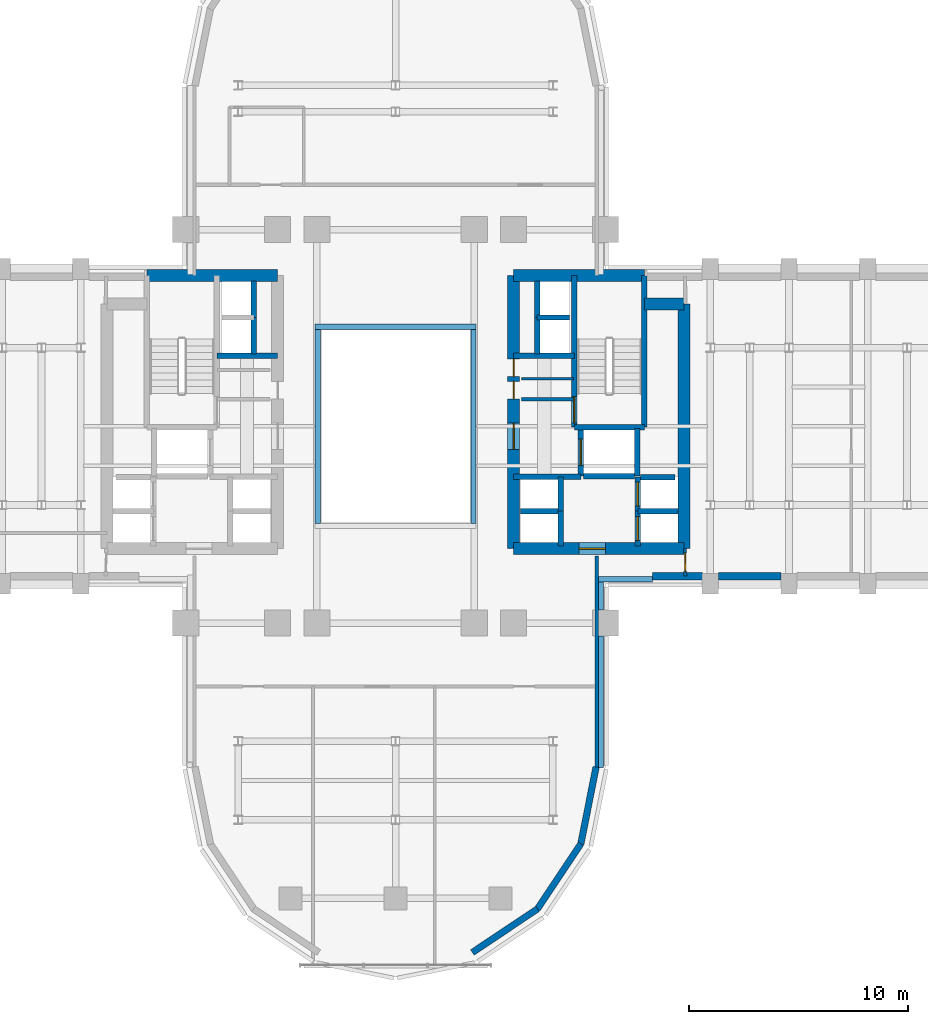
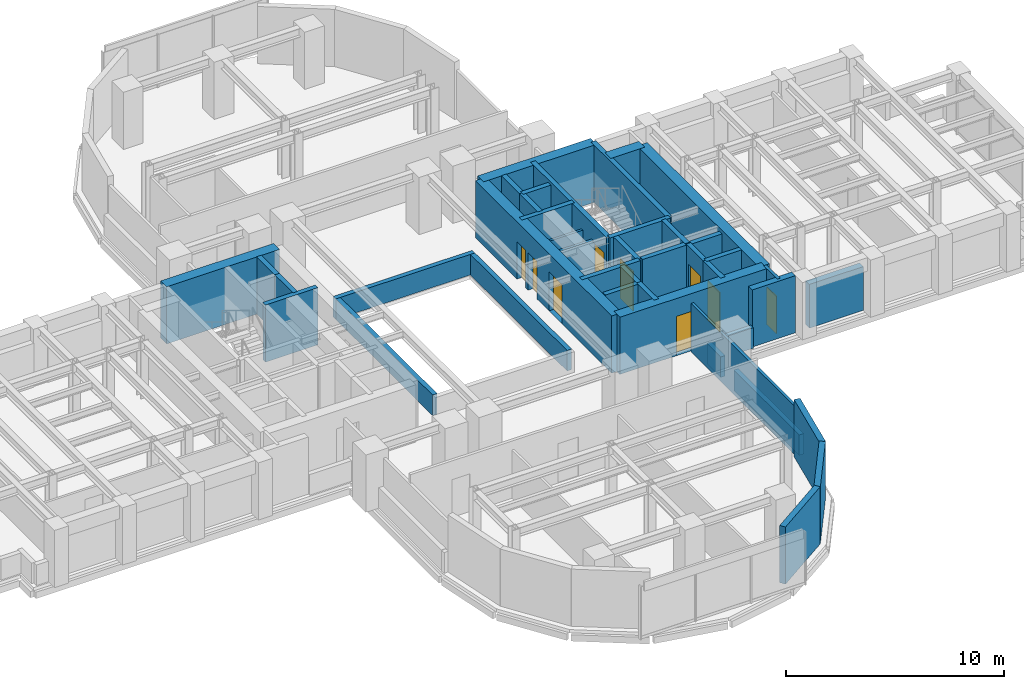
# One storey, part 11 of 16: 42 walls, 9 doors, 9 openings.
"""IFC4 building model written with IfcOpenShell, lengths in metres."""

from ifc_helpers import new_model, si_unit, direction, frame, frame_2d, origin, place, context, subcontext, project, spatial, rectangle, extrude, source, transform, mapped, material, layer, layer_set, type_object, element, fill, save


model = new_model("IFC4")

# Units and contexts
model_context = context("Model", 3, precision=1e-05, world=origin(), true_north=direction((0.0, 1.0)))
body_context = subcontext(model_context, "Body", "Model", "MODEL_VIEW")
ifc_project = project(units=[si_unit("LENGTHUNIT", "METRE"), si_unit("AREAUNIT", "SQUARE_METRE"), si_unit("VOLUMEUNIT", "CUBIC_METRE"), si_unit("PLANEANGLEUNIT", "RADIAN"), si_unit("MASSUNIT", "GRAM", prefix="KILO")], contexts=[model_context])

# Site, building, storey
site_placement = place(None, origin())
site = spatial("IfcSite", under=ifc_project, at=site_placement, CompositionType="ELEMENT")
building_placement = place(site_placement, origin())
building = spatial("IfcBuilding", under=site, at=building_placement, Name="Keilestroom Media Tower", CompositionType="ELEMENT")
storey_placement = place(building_placement, frame((0.0, 0.0, 54.39990234375)))
storey = spatial("IfcBuildingStorey", under=building, at=storey_placement, Name="L13", CompositionType="ELEMENT", Elevation=54.39990234375)

# Walls
ifc_material_1 = material(Name="Precast concrete C40/50", Category="concrete")
ifc_layer_1 = layer(ifc_material_1, 0.300048828125)
ifc_layer_set_1 = layer_set([ifc_layer_1], Name="Precast concrete C40/50")
wall_type_1 = type_object("IfcWallType", Name="Exterior-Masonry-Spandrel-Wall-300", PredefinedType="SOLIDWALL", material=ifc_layer_set_1)
wall_1_placement = place(storey_placement, frame((3.510009765625, -24.073486328125, 0.0), z_axis=(0.0, 0.0, 1.0), x_axis=(0.8314749531, 0.555562239868, 0.0)))
element("IfcWall", 1, at=wall_1_placement, inside=storey, type_object=wall_type_1, Name="L13 Lobe Facet Precast Frame Wall 10", PredefinedType="SOLIDWALL", context=body_context, shape_type="SweptSolid", body=[
    extrude(rectangle(XDim=3.59326171875, YDim=0.300048828125, at=frame_2d((1.796630859375, 0.0))), origin(), (0.0, 0.0, 1.0), 3.2001953125),
])
for number, where, z_axis, x_axis, name in (
    (2, (6.47705078125, -22.097900390625, 0.0), (0.0, 0.0, 1.0), (0.555574187116, 0.831466970246, 0.0), "L13 Lobe Facet Precast Frame Wall 11"),
    (3, (8.470703125, -19.12451171875, 0.0), (0.0, 0.0, 1.0), (0.195114232679, 0.980780523974, 0.0), "L13 Lobe Facet Precast Frame Wall 12"),
):
    element("IfcWall", number, at=place(storey_placement, frame(where, z_axis=z_axis, x_axis=x_axis)), inside=storey, type_object=wall_type_1, Name=name, PredefinedType="SOLIDWALL", context=body_context, shape_type="SweptSolid", body=[
        extrude(rectangle(XDim=3.608642578125, YDim=0.300048828125, at=frame_2d((1.80419921875, 0.0))), origin(), (0.0, 0.0, 1.0), 3.2001953125),
    ])
ifc_layer_2 = layer(ifc_material_1, 0.340087890625)
ifc_layer_set_2 = layer_set([ifc_layer_2], Name="Precast concrete C40/50")
wall_type_2 = type_object("IfcWallType", Name="Exterior-Masonry-Spandrel-Wall-340", PredefinedType="SOLIDWALL", material=ifc_layer_set_2)
wall_2_placement = place(storey_placement, frame((11.75, -6.85009765625, 0.0), z_axis=(0.0, 0.0, 1.0), x_axis=(1.0, 0.0, 0.0)))
element("IfcWall", 4, at=wall_2_placement, inside=storey, type_object=wall_type_2, Name="L13 Flank Masonry Wall EWL-L13-SE-1", PredefinedType="SOLIDWALL", context=body_context, shape_type="SweptSolid", body=[
    extrude(rectangle(XDim=2.282958984375, YDim=0.340087890625, at=frame_2d((1.1416015625, 0.0))), origin(), (0.0, 0.0, 1.0), 3.2001953125),
])
wall_3_placement = place(storey_placement, frame((14.76708984375, -6.85009765625, 0.0), z_axis=(0.0, 0.0, 1.0), x_axis=(1.0, 0.0, 0.0)))
element("IfcWall", 5, at=wall_3_placement, inside=storey, type_object=wall_type_2, Name="L13 Flank Masonry Wall EWL-L13-SE-2", PredefinedType="SOLIDWALL", context=body_context, shape_type="SweptSolid", body=[
    extrude(rectangle(XDim=2.865966796875, YDim=0.340087890625, at=frame_2d((1.43310546875, 0.0))), origin(), (0.0, 0.0, 1.0), 2.4501953125),
])
ifc_material_2 = material(Name="Gypsum Plasterboard & Steel Stud", Category="steel")
ifc_layer_3 = layer(ifc_material_2, 0.1201171875)
ifc_layer_set_3 = layer_set([ifc_layer_3], Name="Gypsum Plasterboard & Steel Stud")
wall_type_3 = type_object("IfcWallType", Name="Interior-Partition-Wall-120", PredefinedType="PARTITIONING", material=ifc_layer_set_3)
wall_4_placement = place(storey_placement, frame((5.75, 2.179931640625, 0.0), z_axis=(0.0, 0.0, 1.0), x_axis=(1.0, 0.0, 0.0)))
element("IfcWall", 6, at=wall_4_placement, inside=storey, type_object=wall_type_3, Name="L13 Interior Wall WP-L13-CNE-N", PredefinedType="PARTITIONING", context=body_context, shape_type="SweptSolid", body=[
    extrude(rectangle(XDim=2.389892578125, YDim=0.1201171875, at=frame_2d((1.19482421875, 0.0))), origin(), (0.0, 0.0, 1.0), 2.300048828125),
])
ifc_layer_4 = layer(ifc_material_2, 0.14990234375)
ifc_layer_set_4 = layer_set([ifc_layer_4], Name="Gypsum Plasterboard & Steel Stud")
wall_type_4 = type_object("IfcWallType", Name="Interior-Partition-Wall-150", PredefinedType="PARTITIONING", material=ifc_layer_set_4)
wall_5_placement = place(storey_placement, frame((5.75, 1.239990234375, 0.0), z_axis=(0.0, 0.0, 1.0), x_axis=(1.0, 0.0, 0.0)))
element("IfcWall", 7, at=wall_5_placement, inside=storey, type_object=wall_type_4, Name="L13 Interior Wall WP-L13-FFE-TOP", PredefinedType="PARTITIONING", context=body_context, shape_type="SweptSolid", body=[
    extrude(rectangle(XDim=2.389892578125, YDim=0.14990234375, at=frame_2d((1.19482421875, 0.0))), origin(), (0.0, 0.0, 1.0), 2.300048828125),
])
wall_6_placement = place(storey_placement, frame((9.199951171875, -15.679931640625, 0.0), z_axis=(0.0, 0.0, 1.0), x_axis=(0.0, 1.0, 0.0)))
element("IfcWall", 8, at=wall_6_placement, inside=storey, type_object=wall_type_4, Name="L13 Interior Wall WP-L13-SL-CHKE", PredefinedType="PARTITIONING", context=body_context, shape_type="SweptSolid", body=[
    extrude(rectangle(XDim=9.739990234375, YDim=0.14990234375, at=frame_2d((4.8701171875, 0.0))), origin(), (0.0, 0.0, 1.0), 2.710205078125),
])

# Wall, opening, door
wall_7_placement = place(storey_placement, frame((13.260009765625, -6.85009765625, 0.0), z_axis=(0.0, 0.0, 1.0), x_axis=(-0.016013571389, 0.999871774545, 0.0)))
wall_7 = element("IfcWall", 9, at=wall_7_placement, inside=storey, type_object=wall_type_4, Name="L13 Interior Wall WP-L13-EA-ENTS", PredefinedType="PARTITIONING", context=body_context, shape_type="SweptSolid", body=[
    extrude(rectangle(XDim=1.250244140625, YDim=0.14990234375, at=frame_2d((0.625, 0.0))), origin(), (0.0, 0.0, 1.0), 3.2001953125),
])
opening_1_placement = place(wall_7_placement, frame((0.199951171875, 0.0, 0.0)))
opening_1 = element("IfcOpeningElement", 10, at=opening_1_placement, cuts=wall_7, Name="Opening DI-05", PredefinedType="OPENING", context=body_context, shape_type="SweptSolid", body=[
    extrude(rectangle(XDim=0.85009765625, YDim=2.10009765625, at=frame_2d((0.425048828125, 1.050048828125))), frame((0.0, 0.0849609375, 0.0), z_axis=(0.0, -1.0, 0.0), x_axis=(1.0, 0.0, 0.0)), (0.0, 0.0, 1.0), 0.169921875),
])
ifc_material_3 = material(Name="Moisture-Resistant Oak Leaf", Category="wood")
door_type_1 = type_object("IfcDoorType", Name="Interior-En-Suite-And-Cupboard-Door-DI-05", OperationType="NOTDEFINED", PredefinedType="DOOR", material=ifc_material_3)
shared_shape_1 = source(origin(), body_context, "Body", "SweptSolid", [
    extrude(rectangle(XDim=0.85009765625, YDim=2.10009765625, at=frame_2d((0.425048828125, 1.050048828125))), frame((0.0, 0.02490234375, 0.0), z_axis=(0.0, -1.0, 0.0), x_axis=(1.0, 0.0, 0.0)), (0.0, 0.0, 1.0), 0.050048828125),
])
door_1_placement = place(opening_1_placement, origin())
door_1 = element("IfcDoor", 11, at=door_1_placement, inside=storey, type_object=door_type_1, Name="L13 Interior Door DI-L13-DEA-W", OperationType="SINGLE_SWING_LEFT", OverallHeight=2.10009765625, OverallWidth=0.85009765625, PredefinedType="DOOR", context=body_context, shape_type="MappedRepresentation", body=[
    mapped(shared_shape_1, transform((0.0, 0.0, 0.0), x_axis=(1.0, 0.0, 0.0), y_axis=(0.0, 1.0, 0.0), z_axis=(0.0, 0.0, 1.0), scale=1.0)),
])
fill(opening_1, door_1)

# Walls
ifc_material_4 = material(Name="Concrete C70/85", Category="concrete")
ifc_layer_5 = layer(ifc_material_4, 0.550048828125)
ifc_layer_set_5 = layer_set([ifc_layer_5], Name="Concrete C70/85")
wall_type_5 = type_object("IfcWallType", Name="Reinforced-Concrete-Core-Shear-Wall-550", PredefinedType="SHEAR", material=ifc_layer_set_5)
wall_8_placement = place(storey_placement, frame((-11.381103515625, 6.89990234375, 0.0), z_axis=(0.0, 0.0, 1.0), x_axis=(1.0, 0.0, 0.0)))
element("IfcWall", 12, at=wall_8_placement, inside=storey, type_object=wall_type_5, Name="L13 Core Shear Wall WL-L13-CORE-W-N", PredefinedType="SHEAR", context=body_context, shape_type="SweptSolid", body=[
    extrude(rectangle(XDim=5.981201171875, YDim=0.550048828125, at=frame_2d((2.99072265625, 0.0))), origin(), (0.0, 0.0, 1.0), 3.2001953125),
])
wall_9_placement = place(storey_placement, frame((13.199951171875, -5.60009765625, 0.0), z_axis=(0.0, 0.0, 1.0), x_axis=(0.0, 1.0, 0.0)))
element("IfcWall", 13, at=wall_9_placement, inside=storey, type_object=wall_type_5, Name="L13 Core Shear Wall WL-L13-CORE-E-OUT", PredefinedType="SHEAR", context=body_context, shape_type="SweptSolid", body=[
    extrude(rectangle(XDim=11.2001953125, YDim=0.550048828125, at=frame_2d((5.60009765625, 0.0))), origin(), (0.0, 0.0, 1.0), 3.2001953125),
])

# Wall, openings, doors
wall_10_placement = place(storey_placement, frame((5.39990234375, -5.60009765625, 0.0), z_axis=(0.0, 0.0, 1.0), x_axis=(0.0, 1.0, 0.0)))
wall_10 = element("IfcWall", 14, at=wall_10_placement, inside=storey, type_object=wall_type_5, Name="L13 Core Shear Wall WL-L13-CORE-E-IN", PredefinedType="SHEAR", context=body_context, shape_type="SweptSolid", body=[
    extrude(rectangle(XDim=12.5, YDim=0.550048828125, at=frame_2d((6.25, 0.0))), origin(), (0.0, 0.0, 1.0), 3.2001953125),
])
opening_2_placement = place(wall_10_placement, frame((4.550048828125, 0.0, 0.0)))
opening_2 = element("IfcOpeningElement", 15, at=opening_2_placement, cuts=wall_10, Name="Opening DI-02", PredefinedType="OPENING", context=body_context, shape_type="SweptSolid", body=[
    extrude(rectangle(XDim=1.199951171875, YDim=2.199951171875, at=frame_2d((0.60009765625, 1.10009765625))), frame((0.0, 0.28515625, 0.0), z_axis=(0.0, -1.0, 0.0), x_axis=(1.0, 0.0, 0.0)), (0.0, 0.0, 1.0), 0.570068359375),
])
opening_3_placement = place(wall_10_placement, frame((6.860107421875, 0.0, 0.0)))
opening_3 = element("IfcOpeningElement", 16, at=opening_3_placement, cuts=wall_10, Name="Opening DI-06", PredefinedType="OPENING", context=body_context, shape_type="SweptSolid", body=[
    extrude(rectangle(XDim=0.800048828125, YDim=2.10009765625, at=frame_2d((0.39990234375, 1.050048828125))), frame((0.0, 0.28515625, 0.0), z_axis=(0.0, -1.0, 0.0), x_axis=(1.0, 0.0, 0.0)), (0.0, 0.0, 1.0), 0.570068359375),
])
opening_4_placement = place(wall_10_placement, frame((7.8798828125, 0.0, 0.0)))
opening_4 = element("IfcOpeningElement", 17, at=opening_4_placement, cuts=wall_10, Name="Opening DI-06", PredefinedType="OPENING", context=body_context, shape_type="SweptSolid", body=[
    extrude(rectangle(XDim=0.800048828125, YDim=2.10009765625, at=frame_2d((0.39990234375, 1.050048828125))), frame((0.0, 0.28515625, 0.0), z_axis=(0.0, -1.0, 0.0), x_axis=(1.0, 0.0, 0.0)), (0.0, 0.0, 1.0), 0.570068359375),
])
ifc_material_5 = material(Name="Powder-Coated Steel Fire Leaf", Category="steel")
door_type_2 = type_object("IfcDoorType", Name="Interior-Compartment-Fire-Door-DI-02", OperationType="NOTDEFINED", PredefinedType="DOOR", material=ifc_material_5)
shared_shape_2 = source(origin(), body_context, "Body", "SweptSolid", [
    extrude(rectangle(XDim=1.199951171875, YDim=2.199951171875, at=frame_2d((0.60009765625, 1.10009765625))), frame((0.0, 0.02490234375, 0.0), z_axis=(0.0, -1.0, 0.0), x_axis=(1.0, 0.0, 0.0)), (0.0, 0.0, 1.0), 0.050048828125),
])
door_2_placement = place(opening_2_placement, origin())
door_2 = element("IfcDoor", 18, at=door_2_placement, inside=storey, type_object=door_type_2, Name="L13 E Firefighting Lobby Door", OperationType="SINGLE_SWING_LEFT", OverallHeight=2.199951171875, OverallWidth=1.199951171875, PredefinedType="DOOR", context=body_context, shape_type="MappedRepresentation", body=[
    mapped(shared_shape_2, transform((0.0, 0.0, 0.0), x_axis=(1.0, 0.0, 0.0), y_axis=(0.0, 1.0, 0.0), z_axis=(0.0, 0.0, 1.0), scale=1.0)),
])
fill(opening_2, door_2)
ifc_material_6 = material(Name="Powder-Coated Steel Service Leaf", Category="steel")
door_type_3 = type_object("IfcDoorType", Name="Interior-Riser-Access-Door-DI-06", OperationType="NOTDEFINED", PredefinedType="DOOR", material=ifc_material_6)
shared_shape_3 = source(origin(), body_context, "Body", "SweptSolid", [
    extrude(rectangle(XDim=0.800048828125, YDim=2.10009765625, at=frame_2d((0.39990234375, 1.050048828125))), frame((0.0, 0.02490234375, 0.0), z_axis=(0.0, -1.0, 0.0), x_axis=(1.0, 0.0, 0.0)), (0.0, 0.0, 1.0), 0.050048828125),
])
door_3_placement = place(opening_3_placement, origin())
door_3 = element("IfcDoor", 19, at=door_3_placement, inside=storey, type_object=door_type_3, Name="L13 East Core Telecom Door", OperationType="SINGLE_SWING_RIGHT", OverallHeight=2.10009765625, OverallWidth=0.800048828125, PredefinedType="DOOR", context=body_context, shape_type="MappedRepresentation", body=[
    mapped(shared_shape_3, transform((0.0, 0.0, 0.0), x_axis=(1.0, 0.0, 0.0), y_axis=(0.0, 1.0, 0.0), z_axis=(0.0, 0.0, 1.0), scale=1.0)),
])
fill(opening_3, door_3)
door_4_placement = place(opening_4_placement, origin())
door_4 = element("IfcDoor", 20, at=door_4_placement, inside=storey, type_object=door_type_3, Name="L13 East Core Closet Door", OperationType="SINGLE_SWING_RIGHT", OverallHeight=2.10009765625, OverallWidth=0.800048828125, PredefinedType="DOOR", context=body_context, shape_type="MappedRepresentation", body=[
    mapped(shared_shape_3, transform((0.0, 0.0, 0.0), x_axis=(1.0, 0.0, 0.0), y_axis=(0.0, 1.0, 0.0), z_axis=(0.0, 0.0, 1.0), scale=1.0)),
])
fill(opening_4, door_4)

# Walls
wall_11_placement = place(storey_placement, frame((5.39990234375, 6.89990234375, 0.0), z_axis=(0.0, 0.0, 1.0), x_axis=(1.0, 0.0, 0.0)))
element("IfcWall", 21, at=wall_11_placement, inside=storey, type_object=wall_type_5, Name="L13 Core Shear Wall WL-L13-CORE-E-N", PredefinedType="SHEAR", context=body_context, shape_type="SweptSolid", body=[
    extrude(rectangle(XDim=5.981201171875, YDim=0.550048828125, at=frame_2d((2.99072265625, 0.0))), origin(), (0.0, 0.0, 1.0), 3.2001953125),
])
wall_12_placement = place(storey_placement, frame((11.381103515625, 5.60009765625, 0.0), z_axis=(0.0, 0.0, 1.0), x_axis=(1.0, 0.0, 0.0)))
element("IfcWall", 22, at=wall_12_placement, inside=storey, type_object=wall_type_5, Name="L13 Core Shear Wall WL-L13-CNE-N", PredefinedType="SHEAR", context=body_context, shape_type="SweptSolid", body=[
    extrude(rectangle(XDim=1.81884765625, YDim=0.550048828125, at=frame_2d((0.909423828125, 0.0))), origin(), (0.0, 0.0, 1.0), 3.2001953125),
])

# Wall, opening, door
wall_13_placement = place(storey_placement, frame((5.39990234375, -5.60009765625, 0.0), z_axis=(0.0, 0.0, 1.0), x_axis=(1.0, 0.0, 0.0)))
wall_13 = element("IfcWall", 23, at=wall_13_placement, inside=storey, type_object=wall_type_5, Name="L13 Core Shear Wall WL-L13-CORE-E-S", PredefinedType="SHEAR", context=body_context, shape_type="SweptSolid", body=[
    extrude(rectangle(XDim=7.800048828125, YDim=0.550048828125, at=frame_2d((3.89990234375, 0.0))), origin(), (0.0, 0.0, 1.0), 3.2001953125),
])
opening_5_placement = place(wall_13_placement, frame((3.0, 0.0, 0.0)))
opening_5 = element("IfcOpeningElement", 24, at=opening_5_placement, cuts=wall_13, Name="Opening DI-02", PredefinedType="OPENING", context=body_context, shape_type="SweptSolid", body=[
    extrude(rectangle(XDim=1.199951171875, YDim=2.199951171875, at=frame_2d((0.60009765625, 1.10009765625))), frame((0.0, 0.28515625, 0.0), z_axis=(0.0, -1.0, 0.0), x_axis=(1.0, 0.0, 0.0)), (0.0, 0.0, 1.0), 0.570068359375),
])
door_5_placement = place(opening_5_placement, origin())
door_5 = element("IfcDoor", 25, at=door_5_placement, inside=storey, type_object=door_type_2, Name="L13 E Passenger Lift Lobby Door", OperationType="SINGLE_SWING_RIGHT", OverallHeight=2.199951171875, OverallWidth=1.199951171875, PredefinedType="DOOR", context=body_context, shape_type="MappedRepresentation", body=[
    mapped(shared_shape_2, transform((0.0, 0.0, 0.0), x_axis=(1.0, 0.0, 0.0), y_axis=(0.0, 1.0, 0.0), z_axis=(0.0, 0.0, 1.0), scale=1.0)),
])
fill(opening_5, door_5)

# Walls
ifc_material_7 = material(Name="Concrete C50/60", Category="concrete")
ifc_layer_6 = layer(ifc_material_7, 0.25)
ifc_layer_set_6 = layer_set([ifc_layer_6], Name="Concrete C50/60")
wall_type_6 = type_object("IfcWallType", Name="Reinforced-Concrete-Shaft-Wall-250", PredefinedType="SOLIDWALL", material=ifc_layer_set_6)
for number, where, z_axis, x_axis, name in (
    (26, (-8.179931640625, 3.219970703125, 0.0), (0.0, 0.0, 1.0), (1.0, 0.0, 0.0), "L13 Core Shear Wall WL-L13-CORE-W-FFN"),
    (27, (5.39990234375, 3.219970703125, 0.0), (0.0, 0.0, 1.0), (1.0, 0.0, 0.0), "L13 Core Shear Wall WL-L13-CORE-E-FFN"),
):
    element("IfcWall", number, at=place(storey_placement, frame(where, z_axis=z_axis, x_axis=x_axis)), inside=storey, type_object=wall_type_6, Name=name, PredefinedType="SOLIDWALL", context=body_context, shape_type="SweptSolid", body=[
        extrude(rectangle(XDim=2.780029296875, YDim=0.25, at=frame_2d((1.39013671875, 0.0))), origin(), (0.0, 0.0, 1.0), 3.2001953125),
    ])
wall_14_placement = place(storey_placement, frame((5.39990234375, -2.300048828125, 0.0), z_axis=(0.0, 0.0, 1.0), x_axis=(1.0, 0.0, 0.0)))
element("IfcWall", 28, at=wall_14_placement, inside=storey, type_object=wall_type_6, Name="L13 Core Shear Wall WL-L13-CORE-E-FFS", PredefinedType="SOLIDWALL", context=body_context, shape_type="SweptSolid", body=[
    extrude(rectangle(XDim=3.080078125, YDim=0.25, at=frame_2d((1.5400390625, 0.0))), origin(), (0.0, 0.0, 1.0), 3.2001953125),
])

# Wall, opening, door
wall_15_placement = place(storey_placement, frame((8.178955078125, -0.041015625, 0.0), z_axis=(0.0, 0.0, 1.0), x_axis=(0.0, 1.0, 0.0)))
wall_15 = element("IfcWall", 29, at=wall_15_placement, inside=storey, type_object=wall_type_6, Name="L13 Core Shear Wall WL-L13-STW-E-NEAR", PredefinedType="SOLIDWALL", context=body_context, shape_type="SweptSolid", body=[
    extrude(rectangle(XDim=6.94091796875, YDim=0.25, at=frame_2d((3.470458984375, 0.0))), origin(), (0.0, 0.0, 1.0), 3.2001953125),
])
opening_6_placement = place(wall_15_placement, frame((0.199951171875, 0.0, 0.0)))
opening_6 = element("IfcOpeningElement", 30, at=opening_6_placement, cuts=wall_15, Name="Opening DI-01S", PredefinedType="OPENING", context=body_context, shape_type="SweptSolid", body=[
    extrude(rectangle(XDim=1.199951171875, YDim=2.199951171875, at=frame_2d((0.60009765625, 1.10009765625))), frame((0.0, 0.135009765625, 0.0), z_axis=(0.0, -1.0, 0.0), x_axis=(1.0, 0.0, 0.0)), (0.0, 0.0, 1.0), 0.27001953125),
])
door_type_4 = type_object("IfcDoorType", Name="Interior-Stair-And-Core-Fire-Door-DI-01", OperationType="NOTDEFINED", PredefinedType="DOOR", material=ifc_material_5)
door_6_placement = place(opening_6_placement, origin())
door_6 = element("IfcDoor", 31, at=door_6_placement, inside=storey, type_object=door_type_4, Name="L13 Escape Stair ST-2 Fire Door", OperationType="SINGLE_SWING_RIGHT", OverallHeight=2.199951171875, OverallWidth=1.199951171875, PredefinedType="DOOR", context=body_context, shape_type="MappedRepresentation", body=[
    mapped(shared_shape_2, transform((0.0, 0.0, 0.0), x_axis=(1.0, 0.0, 0.0), y_axis=(0.0, 1.0, 0.0), z_axis=(0.0, 0.0, 1.0), scale=1.0)),
])
fill(opening_6, door_6)

# Walls
wall_16_placement = place(storey_placement, frame((11.381103515625, -0.041015625, 0.0), z_axis=(0.0, 0.0, 1.0), x_axis=(0.0, 1.0, 0.0)))
element("IfcWall", 32, at=wall_16_placement, inside=storey, type_object=wall_type_6, Name="L13 Core Shear Wall WL-L13-STW-E-FAR", PredefinedType="SOLIDWALL", context=body_context, shape_type="SweptSolid", body=[
    extrude(rectangle(XDim=6.94091796875, YDim=0.25, at=frame_2d((3.470458984375, 0.0))), origin(), (0.0, 0.0, 1.0), 3.2001953125),
])
wall_17_placement = place(storey_placement, frame((8.178955078125, -0.041015625, 0.0), z_axis=(0.0, 0.0, 1.0), x_axis=(1.0, 0.0, 0.0)))
element("IfcWall", 33, at=wall_17_placement, inside=storey, type_object=wall_type_6, Name="L13 Core Shear Wall WL-L13-STW-E-S", PredefinedType="SOLIDWALL", context=body_context, shape_type="SweptSolid", body=[
    extrude(rectangle(XDim=3.2021484375, YDim=0.25, at=frame_2d((1.60107421875, 0.0))), origin(), (0.0, 0.0, 1.0), 3.2001953125),
])

# Wall, opening, door
wall_18_placement = place(storey_placement, frame((8.47998046875, -2.280029296875, 0.0), z_axis=(0.0, 0.0, 1.0), x_axis=(0.0, 1.0, 0.0)))
wall_18 = element("IfcWall", 34, at=wall_18_placement, inside=storey, type_object=wall_type_6, Name="L13 Core Shear Wall WL-L13-LSH-FFL-2-W", PredefinedType="SOLIDWALL", context=body_context, shape_type="SweptSolid", body=[
    extrude(rectangle(XDim=2.179931640625, YDim=0.25, at=frame_2d((1.08984375, 0.0))), origin(), (0.0, 0.0, 1.0), 3.2001953125),
])
opening_7_placement = place(wall_18_placement, frame((0.489990234375, 0.0, 0.0)))
opening_7 = element("IfcOpeningElement", 35, at=opening_7_placement, cuts=wall_18, Name="Opening LD-02", PredefinedType="OPENING", context=body_context, shape_type="SweptSolid", body=[
    extrude(rectangle(XDim=1.199951171875, YDim=2.199951171875, at=frame_2d((0.60009765625, 1.10009765625))), frame((0.0, 0.135009765625, 0.0), z_axis=(0.0, -1.0, 0.0), x_axis=(1.0, 0.0, 0.0)), (0.0, 0.0, 1.0), 0.27001953125),
])
ifc_material_8 = material(Name="Brushed Stainless Steel Sliding Leaf", Category="steel")
door_type_5 = type_object("IfcDoorType", Name="Lift-Landing-Sliding-Door-LD-02", OperationType="SLIDING_TO_RIGHT", PredefinedType="DOOR", material=ifc_material_8)
door_7_placement = place(opening_7_placement, origin())
door_7 = element("IfcDoor", 36, at=door_7_placement, inside=storey, type_object=door_type_5, Name="L13 Lift FFL-2 Landing Sliding Door", OperationType="SLIDING_TO_RIGHT", OverallHeight=2.199951171875, OverallWidth=1.199951171875, PredefinedType="DOOR", context=body_context, shape_type="MappedRepresentation", body=[
    mapped(shared_shape_2, transform((0.0, 0.0, 0.0), x_axis=(1.0, 0.0, 0.0), y_axis=(0.0, 1.0, 0.0), z_axis=(0.0, 0.0, 1.0), scale=1.0)),
])
fill(opening_7, door_7)

# Walls
wall_19_placement = place(storey_placement, frame((11.050048828125, -2.280029296875, 0.0), z_axis=(0.0, 0.0, 1.0), x_axis=(0.0, 1.0, 0.0)))
element("IfcWall", 37, at=wall_19_placement, inside=storey, type_object=wall_type_6, Name="L13 Core Shear Wall WL-L13-LSH-FFL-2-E", PredefinedType="SOLIDWALL", context=body_context, shape_type="SweptSolid", body=[
    extrude(rectangle(XDim=2.179931640625, YDim=0.25, at=frame_2d((1.08984375, 0.0))), origin(), (0.0, 0.0, 1.0), 3.2001953125),
])
wall_20_placement = place(storey_placement, frame((8.60888671875, -2.280029296875, 0.0), z_axis=(0.0, 0.0, 1.0), x_axis=(1.0, 0.0, 0.0)))
element("IfcWall", 38, at=wall_20_placement, inside=storey, type_object=wall_type_6, Name="L13 Core Shear Wall WL-L13-LSH-FFL-2-S", PredefinedType="SOLIDWALL", context=body_context, shape_type="SweptSolid", body=[
    extrude(rectangle(XDim=2.31201171875, YDim=0.25, at=frame_2d((1.156005859375, 0.0))), origin(), (0.0, 0.0, 1.0), 3.2001953125),
])

# Wall, opening, door
wall_21_placement = place(storey_placement, frame((11.080078125, -5.47998046875, 0.0), z_axis=(0.0, 0.0, 1.0), x_axis=(0.0, 1.0, 0.0)))
wall_21 = element("IfcWall", 39, at=wall_21_placement, inside=storey, type_object=wall_type_6, Name="L13 Core Shear Wall WL-L13-LSH-PL-L3-W", PredefinedType="SOLIDWALL", context=body_context, shape_type="SweptSolid", body=[
    extrude(rectangle(XDim=1.60009765625, YDim=0.25, at=frame_2d((0.800048828125, 0.0))), origin(), (0.0, 0.0, 1.0), 3.2001953125),
])
opening_8_placement = place(wall_21_placement, frame((0.25, 0.0, 0.0)))
opening_8 = element("IfcOpeningElement", 40, at=opening_8_placement, cuts=wall_21, Name="Opening LD-01", PredefinedType="OPENING", context=body_context, shape_type="SweptSolid", body=[
    extrude(rectangle(XDim=1.10009765625, YDim=2.199951171875, at=frame_2d((0.550048828125, 1.10009765625))), frame((0.0, 0.135009765625, 0.0), z_axis=(0.0, -1.0, 0.0), x_axis=(1.0, 0.0, 0.0)), (0.0, 0.0, 1.0), 0.27001953125),
])
door_type_6 = type_object("IfcDoorType", Name="Lift-Landing-Sliding-Door-LD-01", OperationType="SLIDING_TO_LEFT", PredefinedType="DOOR", material=ifc_material_8)
shared_shape_4 = source(origin(), body_context, "Body", "SweptSolid", [
    extrude(rectangle(XDim=1.10009765625, YDim=2.199951171875, at=frame_2d((0.550048828125, 1.10009765625))), frame((0.0, 0.02490234375, 0.0), z_axis=(0.0, -1.0, 0.0), x_axis=(1.0, 0.0, 0.0)), (0.0, 0.0, 1.0), 0.050048828125),
])
door_8_placement = place(opening_8_placement, origin())
door_8 = element("IfcDoor", 41, at=door_8_placement, inside=storey, type_object=door_type_6, Name="L13 Lift PL-L3 Landing Sliding Door", OperationType="SLIDING_TO_LEFT", OverallHeight=2.199951171875, OverallWidth=1.10009765625, PredefinedType="DOOR", context=body_context, shape_type="MappedRepresentation", body=[
    mapped(shared_shape_4, transform((0.0, 0.0, 0.0), x_axis=(1.0, 0.0, 0.0), y_axis=(0.0, 1.0, 0.0), z_axis=(0.0, 0.0, 1.0), scale=1.0)),
])
fill(opening_8, door_8)

# Wall
wall_22_placement = place(storey_placement, frame((11.080078125, -3.8798828125, 0.0), z_axis=(0.0, 0.0, 1.0), x_axis=(1.0, 0.0, 0.0)))
element("IfcWall", 42, at=wall_22_placement, inside=storey, type_object=wall_type_6, Name="L13 Core Shear Wall WL-L13-LSH-PL-L3-N", PredefinedType="SOLIDWALL", context=body_context, shape_type="SweptSolid", body=[
    extrude(rectangle(XDim=1.83984375, YDim=0.25, at=frame_2d((0.919921875, 0.0))), origin(), (0.0, 0.0, 1.0), 3.2001953125),
])

# Wall, opening, door
wall_23_placement = place(storey_placement, frame((11.080078125, -3.8798828125, 0.0), z_axis=(0.0, 0.0, 1.0), x_axis=(0.0, 1.0, 0.0)))
wall_23 = element("IfcWall", 43, at=wall_23_placement, inside=storey, type_object=wall_type_6, Name="L13 Core Shear Wall WL-L13-LSH-PL-L4-W", PredefinedType="SOLIDWALL", context=body_context, shape_type="SweptSolid", body=[
    extrude(rectangle(XDim=1.559814453125, YDim=0.25, at=frame_2d((0.77978515625, 0.0))), origin(), (0.0, 0.0, 1.0), 3.2001953125),
])
opening_9_placement = place(wall_23_placement, frame((0.22998046875, 0.0, 0.0)))
opening_9 = element("IfcOpeningElement", 44, at=opening_9_placement, cuts=wall_23, Name="Opening LD-01", PredefinedType="OPENING", context=body_context, shape_type="SweptSolid", body=[
    extrude(rectangle(XDim=1.10009765625, YDim=2.199951171875, at=frame_2d((0.550048828125, 1.10009765625))), frame((0.0, 0.135009765625, 0.0), z_axis=(0.0, -1.0, 0.0), x_axis=(1.0, 0.0, 0.0)), (0.0, 0.0, 1.0), 0.27001953125),
])
door_9_placement = place(opening_9_placement, origin())
door_9 = element("IfcDoor", 45, at=door_9_placement, inside=storey, type_object=door_type_6, Name="L13 Lift PL-L4 Landing Sliding Door", OperationType="SLIDING_TO_LEFT", OverallHeight=2.199951171875, OverallWidth=1.10009765625, PredefinedType="DOOR", context=body_context, shape_type="MappedRepresentation", body=[
    mapped(shared_shape_4, transform((0.0, 0.0, 0.0), x_axis=(1.0, 0.0, 0.0), y_axis=(0.0, 1.0, 0.0), z_axis=(0.0, 0.0, 1.0), scale=1.0)),
])
fill(opening_9, door_9)

# Walls
wall_24_placement = place(storey_placement, frame((11.208984375, -2.320068359375, 0.0), z_axis=(0.0, 0.0, 1.0), x_axis=(1.0, 0.0, 0.0)))
element("IfcWall", 46, at=wall_24_placement, inside=storey, type_object=wall_type_6, Name="L13 Core Shear Wall WL-L13-LSH-PL-L4-N", PredefinedType="SOLIDWALL", context=body_context, shape_type="SweptSolid", body=[
    extrude(rectangle(XDim=1.58203125, YDim=0.25, at=frame_2d((0.791015625, 0.0))), origin(), (0.0, 0.0, 1.0), 3.2001953125),
])
wall_25_placement = place(storey_placement, frame((7.56005859375, -5.47998046875, 0.0), z_axis=(0.0, 0.0, 1.0), x_axis=(0.0, 1.0, 0.0)))
element("IfcWall", 47, at=wall_25_placement, inside=storey, type_object=wall_type_6, Name="L13 Core Shear Wall WL-L13-LSH-PL-M3-E", PredefinedType="SOLIDWALL", context=body_context, shape_type="SweptSolid", body=[
    extrude(rectangle(XDim=1.60009765625, YDim=0.25, at=frame_2d((0.800048828125, 0.0))), origin(), (0.0, 0.0, 1.0), 3.2001953125),
])
wall_26_placement = place(storey_placement, frame((5.719970703125, -3.8798828125, 0.0), z_axis=(0.0, 0.0, 1.0), x_axis=(1.0, 0.0, 0.0)))
element("IfcWall", 48, at=wall_26_placement, inside=storey, type_object=wall_type_6, Name="L13 Core Shear Wall WL-L13-LSH-PL-M3-N", PredefinedType="SOLIDWALL", context=body_context, shape_type="SweptSolid", body=[
    extrude(rectangle(XDim=1.840087890625, YDim=0.25, at=frame_2d((0.919921875, 0.0))), origin(), (0.0, 0.0, 1.0), 3.2001953125),
])
wall_27_placement = place(storey_placement, frame((7.56005859375, -3.8798828125, 0.0), z_axis=(0.0, 0.0, 1.0), x_axis=(0.0, 1.0, 0.0)))
element("IfcWall", 49, at=wall_27_placement, inside=storey, type_object=wall_type_6, Name="L13 Core Shear Wall WL-L13-LSH-PL-M4-E", PredefinedType="SOLIDWALL", context=body_context, shape_type="SweptSolid", body=[
    extrude(rectangle(XDim=1.559814453125, YDim=0.25, at=frame_2d((0.77978515625, 0.0))), origin(), (0.0, 0.0, 1.0), 3.2001953125),
])
wall_28_placement = place(storey_placement, frame((-6.47998046875, 3.300048828125, 0.0), z_axis=(0.0, 0.0, 1.0), x_axis=(0.0, 1.0, 0.0)))
element("IfcWall", 50, at=wall_28_placement, inside=storey, type_object=wall_type_6, Name="L13 Core Shear Wall WL-L13-LSH-PL-H1-E", PredefinedType="SOLIDWALL", context=body_context, shape_type="SweptSolid", body=[
    extrude(rectangle(XDim=1.679931640625, YDim=0.25, at=frame_2d((0.83984375, 0.0))), origin(), (0.0, 0.0, 1.0), 3.2001953125),
])
wall_29_placement = place(storey_placement, frame((-6.47998046875, 4.97998046875, 0.0), z_axis=(0.0, 0.0, 1.0), x_axis=(0.0, 1.0, 0.0)))
element("IfcWall", 51, at=wall_29_placement, inside=storey, type_object=wall_type_6, Name="L13 Core Shear Wall WL-L13-LSH-PL-H2-E", PredefinedType="SOLIDWALL", context=body_context, shape_type="SweptSolid", body=[
    extrude(rectangle(XDim=1.669921875, YDim=0.25, at=frame_2d((0.8349609375, 0.0))), origin(), (0.0, 0.0, 1.0), 3.2001953125),
])
wall_30_placement = place(storey_placement, frame((6.47998046875, 3.300048828125, 0.0), z_axis=(0.0, 0.0, 1.0), x_axis=(0.0, 1.0, 0.0)))
element("IfcWall", 52, at=wall_30_placement, inside=storey, type_object=wall_type_6, Name="L13 Core Shear Wall WL-L13-LSH-PL-H3-W", PredefinedType="SOLIDWALL", context=body_context, shape_type="SweptSolid", body=[
    extrude(rectangle(XDim=1.679931640625, YDim=0.25, at=frame_2d((0.83984375, 0.0))), origin(), (0.0, 0.0, 1.0), 3.2001953125),
])
wall_31_placement = place(storey_placement, frame((6.47998046875, 4.97998046875, 0.0), z_axis=(0.0, 0.0, 1.0), x_axis=(1.0, 0.0, 0.0)))
element("IfcWall", 53, at=wall_31_placement, inside=storey, type_object=wall_type_6, Name="L13 Core Shear Wall WL-L13-LSH-PL-H3-N", PredefinedType="SOLIDWALL", context=body_context, shape_type="SweptSolid", body=[
    extrude(rectangle(XDim=1.469970703125, YDim=0.25, at=frame_2d((0.73486328125, 0.0))), origin(), (0.0, 0.0, 1.0), 3.2001953125),
])
wall_32_placement = place(storey_placement, frame((6.47998046875, 4.97998046875, 0.0), z_axis=(0.0, 0.0, 1.0), x_axis=(0.0, 1.0, 0.0)))
element("IfcWall", 54, at=wall_32_placement, inside=storey, type_object=wall_type_6, Name="L13 Core Shear Wall WL-L13-LSH-PL-H4-W", PredefinedType="SOLIDWALL", context=body_context, shape_type="SweptSolid", body=[
    extrude(rectangle(XDim=1.669921875, YDim=0.25, at=frame_2d((0.8349609375, 0.0))), origin(), (0.0, 0.0, 1.0), 3.2001953125),
])
ifc_layer_7 = layer(ifc_material_1, 0.239990234375)
ifc_layer_set_7 = layer_set([ifc_layer_7], Name="Precast concrete C40/50")
wall_type_7 = type_object("IfcWallType", Name="Roof-And-Terrace-Parapet-Wall-240", PredefinedType="PARAPET", material=ifc_layer_set_7)
wall_33_placement = place(storey_placement, frame((11.7470703125, -7.0, 0.0), z_axis=(0.0, 0.0, 1.0), x_axis=(-1.0, 0.0, 0.0)))
element("IfcWall", 55, at=wall_33_placement, inside=storey, type_object=wall_type_7, Name="L13 Perimeter Edge Parapet Wall 06", PredefinedType="PARAPET", context=body_context, shape_type="SweptSolid", body=[
    extrude(rectangle(XDim=2.468994140625, YDim=0.239990234375, at=frame_2d((1.234375, 0.0))), origin(), (0.0, 0.0, 1.0), 1.150146484375),
])
wall_34_placement = place(storey_placement, frame((9.39990234375, -7.123046875, 0.0), z_axis=(0.0, 0.0, 1.0), x_axis=(0.0, -1.0, 0.0)))
element("IfcWall", 56, at=wall_34_placement, inside=storey, type_object=wall_type_7, Name="L13 Perimeter Edge Parapet Wall 07", PredefinedType="PARAPET", context=body_context, shape_type="SweptSolid", body=[
    extrude(rectangle(XDim=1.27392578125, YDim=0.239990234375, at=frame_2d((0.636962890625, 0.0))), origin(), (0.0, 0.0, 1.0), 1.150146484375),
])
wall_35_placement = place(storey_placement, frame((9.39990234375, -9.60302734375, 0.0), z_axis=(0.0, 0.0, 1.0), x_axis=(0.0, -1.0, 0.0)))
element("IfcWall", 57, at=wall_35_placement, inside=storey, type_object=wall_type_7, Name="L13 Perimeter Edge Parapet Wall 08", PredefinedType="PARAPET", context=body_context, shape_type="SweptSolid", body=[
    extrude(rectangle(XDim=5.999755859375, YDim=0.239990234375, at=frame_2d((3.0, 0.0))), origin(), (0.0, 0.0, 1.0), 1.150146484375),
])
wall_36_placement = place(storey_placement, frame((-3.679931640625, 4.56005859375, 0.0), z_axis=(0.0, 0.0, 1.0), x_axis=(1.0, 0.0, 0.0)))
element("IfcWall", 58, at=wall_36_placement, inside=storey, type_object=wall_type_7, Name="L13 Central Atrium Guard Parapet N", PredefinedType="PARAPET", context=body_context, shape_type="SweptSolid", body=[
    extrude(rectangle(XDim=7.35986328125, YDim=0.239990234375, at=frame_2d((3.679931640625, 0.0))), origin(), (0.0, 0.0, 1.0), 1.150146484375),
])
for number, where, z_axis, x_axis, name in (
    (59, (-3.56005859375, -4.43505859375, 0.0), (0.0, 0.0, 1.0), (0.0, 1.0, 0.0), "L13 Central Atrium Guard Parapet W"),
    (60, (3.56005859375, -4.43505859375, 0.0), (0.0, 0.0, 1.0), (0.0, 1.0, 0.0), "L13 Central Atrium Guard Parapet E"),
):
    element("IfcWall", number, at=place(storey_placement, frame(where, z_axis=z_axis, x_axis=x_axis)), inside=storey, type_object=wall_type_7, Name=name, PredefinedType="PARAPET", context=body_context, shape_type="SweptSolid", body=[
        extrude(rectangle(XDim=8.8701171875, YDim=0.239990234375, at=frame_2d((4.43505859375, 0.0))), origin(), (0.0, 0.0, 1.0), 1.150146484375),
    ])

save(model, "model.ifc")
